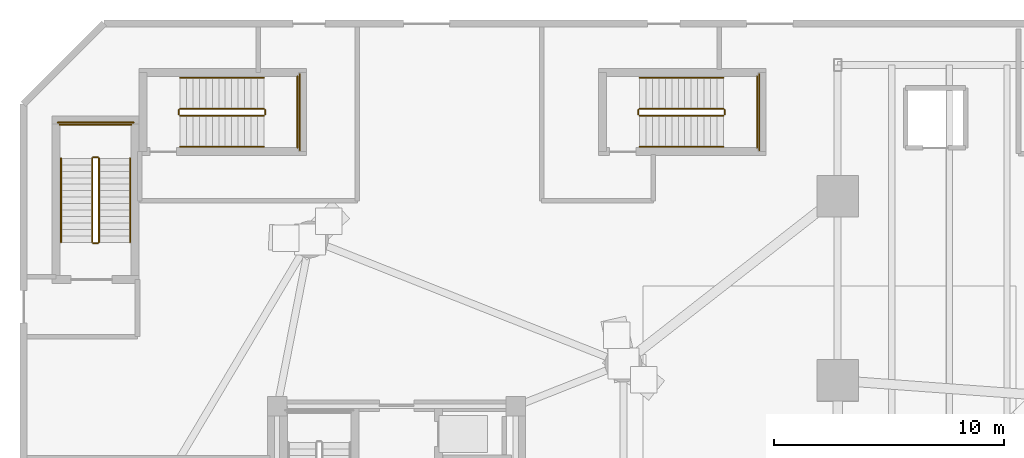
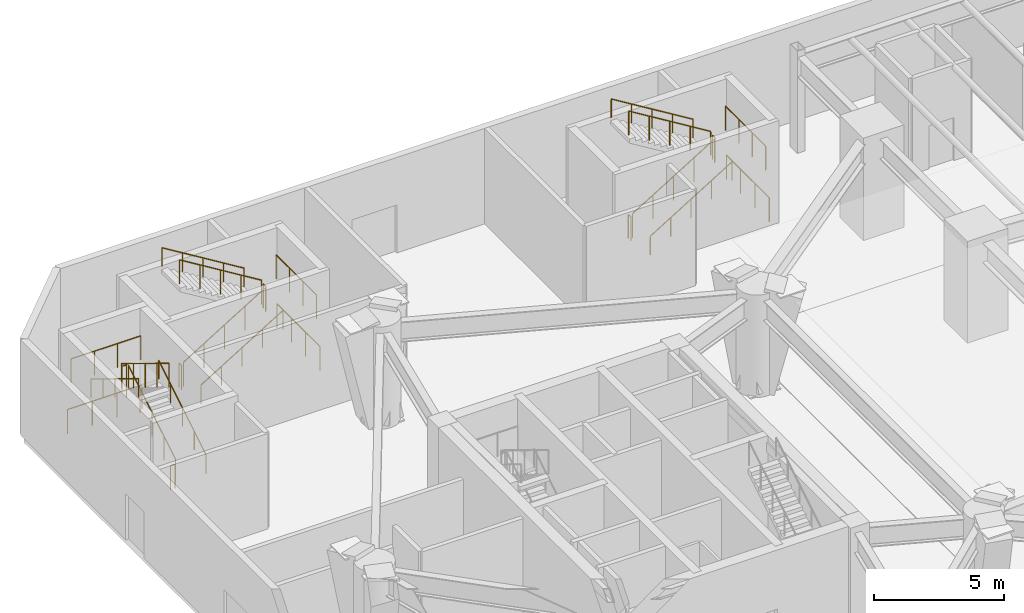
# One storey, part 15 of 17: 24 railings.
"""IFC4 building model written with IfcOpenShell, lengths in metres."""

from ifc_helpers import new_model, si_unit, direction, frame, origin, origin_2d, place, context, subcontext, project, spatial, circle, extrude, material, type_object, element, save


model = new_model("IFC4")

# Units and contexts
model_context = context("Model", 3, precision=1e-05, world=origin(), true_north=direction((0.0, 1.0)))
body_context = subcontext(model_context, "Body", "Model", "MODEL_VIEW")
ifc_project = project(units=[si_unit("LENGTHUNIT", "METRE"), si_unit("AREAUNIT", "SQUARE_METRE"), si_unit("VOLUMEUNIT", "CUBIC_METRE"), si_unit("PLANEANGLEUNIT", "RADIAN"), si_unit("MASSUNIT", "GRAM", prefix="KILO")], contexts=[model_context])

# Site, building, storey
site_placement = place(None, origin())
site = spatial("IfcSite", under=ifc_project, at=site_placement, CompositionType="ELEMENT")
building_placement = place(site_placement, origin())
building = spatial("IfcBuilding", under=site, at=building_placement, Name="Cununo Teusaquillo Station Towers", CompositionType="ELEMENT")
storey_placement = place(building_placement, origin())
storey = spatial("IfcBuildingStorey", under=building, at=storey_placement, Name="L00", CompositionType="ELEMENT", Elevation=0.0)

# Railings
ifc_material_1 = material(Name="Steel EN 10025-2 S355J2", Category="steel")
railing_type_1 = type_object("IfcRailingType", Name="RL-INT-GUARD", PredefinedType="GUARDRAIL", material=ifc_material_1)
railing_1_placement = place(storey_placement, frame((27.050048828125, 44.0, 0.17138671875)))
element("IfcRailing", 1, at=railing_1_placement, inside=storey, type_object=railing_type_1, Name="L00 ST-POD-N stair guard 1", PredefinedType="GUARDRAIL", context=body_context, shape_type="SweptSolid", body=[
    extrude(circle(Radius=0.02392578125, at=origin_2d()), frame((0.0, 0.0, 1.1259765625), z_axis=(0.852850264322, 0.0, 0.5221555579), x_axis=(0.0, 1.0, 0.0)), (0.0, 0.0, 1.0), 4.267822265625),
    extrude(circle(Radius=0.02099609375, at=origin_2d()), origin(), (0.0, 0.0, 1.0), 1.101806640625),
    extrude(circle(Radius=0.02099609375, at=origin_2d()), frame((0.909912109375, 0.0, 0.55712890625)), (0.0, 0.0, 1.0), 1.101806640625),
    extrude(circle(Radius=0.02099609375, at=origin_2d()), frame((1.81982421875, 0.0, 1.1142578125)), (0.0, 0.0, 1.0), 1.101806640625),
    extrude(circle(Radius=0.02099609375, at=origin_2d()), frame((2.72998046875, 0.0, 1.67138671875)), (0.0, 0.0, 1.0), 1.101806640625),
    extrude(circle(Radius=0.02099609375, at=origin_2d()), frame((3.639892578125, 0.0, 2.228515625)), (0.0, 0.0, 1.0), 1.101806640625),
])
railing_2_placement = place(storey_placement, frame((30.739990234375, 44.050048828125, 2.39990234375)))
element("IfcRailing", 2, at=railing_2_placement, inside=storey, type_object=railing_type_1, Name="L00 ST-POD-N stair guard 2", PredefinedType="GUARDRAIL", context=body_context, shape_type="SweptSolid", body=[
    extrude(circle(Radius=0.02392578125, at=origin_2d()), frame((0.0, 0.0, 1.1259765625), z_axis=(0.0, 1.0, 0.0), x_axis=(-1.0, 0.0, 0.0)), (0.0, 0.0, 1.0), 0.199951171875),
    extrude(circle(Radius=0.02099609375, at=origin_2d()), origin(), (0.0, 0.0, 1.0), 1.101806640625),
    extrude(circle(Radius=0.02099609375, at=origin_2d()), frame((0.0, 0.199951171875, 0.0)), (0.0, 0.0, 1.0), 1.101806640625),
])
railing_3_placement = place(storey_placement, frame((32.14990234375, 42.60009765625, 2.39990234375)))
element("IfcRailing", 3, at=railing_3_placement, inside=storey, type_object=railing_type_1, Name="L00 ST-POD-N stair guard 3", PredefinedType="GUARDRAIL", context=body_context, shape_type="SweptSolid", body=[
    extrude(circle(Radius=0.02392578125, at=origin_2d()), frame((0.0, 0.0, 1.1259765625), z_axis=(0.0, 1.0, 0.0), x_axis=(-1.0, 0.0, 0.0)), (0.0, 0.0, 1.0), 3.099853515625),
    extrude(circle(Radius=0.02099609375, at=origin_2d()), origin(), (0.0, 0.0, 1.0), 1.101806640625),
    extrude(circle(Radius=0.02099609375, at=origin_2d()), frame((0.0, 1.033203125, 0.0)), (0.0, 0.0, 1.0), 1.101806640625),
    extrude(circle(Radius=0.02099609375, at=origin_2d()), frame((0.0, 2.066650390625, 0.0)), (0.0, 0.0, 1.0), 1.101806640625),
    extrude(circle(Radius=0.02099609375, at=origin_2d()), frame((0.0, 3.099853515625, 0.0)), (0.0, 0.0, 1.0), 1.101806640625),
])
railing_4_placement = place(storey_placement, frame((30.68994140625, 44.300048828125, 2.571533203125)))
element("IfcRailing", 4, at=railing_4_placement, inside=storey, type_object=railing_type_1, Name="L00 ST-POD-N stair guard 4", PredefinedType="GUARDRAIL", context=body_context, shape_type="SweptSolid", body=[
    extrude(circle(Radius=0.02392578125, at=origin_2d()), frame((0.0, 0.0, 1.1259765625), z_axis=(-0.852850264322, 0.0, 0.5221555579), x_axis=(0.0, -1.0, 0.0)), (0.0, 0.0, 1.0), 4.267822265625),
    extrude(circle(Radius=0.02099609375, at=origin_2d()), origin(), (0.0, 0.0, 1.0), 1.101806640625),
    extrude(circle(Radius=0.02099609375, at=origin_2d()), frame((-0.909912109375, 0.0, 0.55712890625)), (0.0, 0.0, 1.0), 1.101806640625),
    extrude(circle(Radius=0.02099609375, at=origin_2d()), frame((-1.81982421875, 0.0, 1.1142578125)), (0.0, 0.0, 1.0), 1.101806640625),
    extrude(circle(Radius=0.02099609375, at=origin_2d()), frame((-2.72998046875, 0.0, 1.67138671875)), (0.0, 0.0, 1.0), 1.101806640625),
    extrude(circle(Radius=0.02099609375, at=origin_2d()), frame((-3.639892578125, 0.0, 2.228515625)), (0.0, 0.0, 1.0), 1.101806640625),
])
railing_5_placement = place(storey_placement, frame((27.0, 44.050048828125, 0.0)))
element("IfcRailing", 5, at=railing_5_placement, inside=storey, type_object=railing_type_1, Name="L00 ST-POD-N stair guard 5", PredefinedType="GUARDRAIL", context=body_context, shape_type="SweptSolid", body=[
    extrude(circle(Radius=0.02392578125, at=origin_2d()), frame((0.0, 0.0, 1.1259765625), z_axis=(0.0, 1.0, 0.0), x_axis=(-1.0, 0.0, 0.0)), (0.0, 0.0, 1.0), 0.199951171875),
    extrude(circle(Radius=0.02099609375, at=origin_2d()), origin(), (0.0, 0.0, 1.0), 1.101806640625),
    extrude(circle(Radius=0.02099609375, at=origin_2d()), frame((0.0, 0.199951171875, 0.0)), (0.0, 0.0, 1.0), 1.101806640625),
])
railing_6_placement = place(storey_placement, frame((32.25, 42.5, 0.0)))
element("IfcRailing", 6, at=railing_6_placement, inside=storey, type_object=railing_type_1, Name="L00 ST-POD-N stair guard 6", PredefinedType="GUARDRAIL", context=body_context, shape_type="SweptSolid", body=[
    extrude(circle(Radius=0.02392578125, at=origin_2d()), frame((0.0, 0.0, 1.1259765625), z_axis=(0.0, 1.0, 0.0), x_axis=(-1.0, 0.0, 0.0)), (0.0, 0.0, 1.0), 3.300048828125),
    extrude(circle(Radius=0.02099609375, at=origin_2d()), origin(), (0.0, 0.0, 1.0), 1.101806640625),
    extrude(circle(Radius=0.02099609375, at=origin_2d()), frame((0.0, 1.10009765625, 0.0)), (0.0, 0.0, 1.0), 1.101806640625),
    extrude(circle(Radius=0.02099609375, at=origin_2d()), frame((0.0, 2.199951171875, 0.0)), (0.0, 0.0, 1.0), 1.101806640625),
    extrude(circle(Radius=0.02099609375, at=origin_2d()), frame((0.0, 3.300048828125, 0.0)), (0.0, 0.0, 1.0), 1.101806640625),
])
railing_7_placement = place(storey_placement, frame((3.580078125, 38.5, 0.17138671875)))
element("IfcRailing", 7, at=railing_7_placement, inside=storey, type_object=railing_type_1, Name="L00 ST-POD-W stair guard 1", PredefinedType="GUARDRAIL", context=body_context, shape_type="SweptSolid", body=[
    extrude(circle(Radius=0.02392578125, at=origin_2d()), frame((0.0, 0.0, 1.1259765625), z_axis=(0.0, 0.852850264322, 0.5221555579), x_axis=(-1.0, 0.0, 0.0)), (0.0, 0.0, 1.0), 4.267822265625),
    extrude(circle(Radius=0.02099609375, at=origin_2d()), origin(), (0.0, 0.0, 1.0), 1.101806640625),
    extrude(circle(Radius=0.02099609375, at=origin_2d()), frame((0.0, 0.909912109375, 0.55712890625)), (0.0, 0.0, 1.0), 1.101806640625),
    extrude(circle(Radius=0.02099609375, at=origin_2d()), frame((0.0, 1.81982421875, 1.1142578125)), (0.0, 0.0, 1.0), 1.101806640625),
    extrude(circle(Radius=0.02099609375, at=origin_2d()), frame((0.0, 2.72998046875, 1.67138671875)), (0.0, 0.0, 1.0), 1.101806640625),
    extrude(circle(Radius=0.02099609375, at=origin_2d()), frame((0.0, 3.639892578125, 2.228515625)), (0.0, 0.0, 1.0), 1.101806640625),
])
railing_8_placement = place(storey_placement, frame((3.530029296875, 42.18994140625, 2.39990234375)))
element("IfcRailing", 8, at=railing_8_placement, inside=storey, type_object=railing_type_1, Name="L00 ST-POD-W stair guard 2", PredefinedType="GUARDRAIL", context=body_context, shape_type="SweptSolid", body=[
    extrude(circle(Radius=0.02392578125, at=origin_2d()), frame((0.0, 0.0, 1.1259765625), z_axis=(-1.0, 0.0, 0.0), x_axis=(0.0, -1.0, 0.0)), (0.0, 0.0, 1.0), 0.199951171875),
    extrude(circle(Radius=0.02099609375, at=origin_2d()), origin(), (0.0, 0.0, 1.0), 1.101806640625),
    extrude(circle(Radius=0.02099609375, at=origin_2d()), frame((-0.199951171875, 0.0, 0.0)), (0.0, 0.0, 1.0), 1.101806640625),
])
railing_9_placement = place(storey_placement, frame((4.97998046875, 43.60009765625, 2.39990234375)))
element("IfcRailing", 9, at=railing_9_placement, inside=storey, type_object=railing_type_1, Name="L00 ST-POD-W stair guard 3", PredefinedType="GUARDRAIL", context=body_context, shape_type="SweptSolid", body=[
    extrude(circle(Radius=0.02392578125, at=origin_2d()), frame((0.0, 0.0, 1.1259765625), z_axis=(-1.0, 0.0, 0.0), x_axis=(0.0, -1.0, 0.0)), (0.0, 0.0, 1.0), 3.10009765625),
    extrude(circle(Radius=0.02099609375, at=origin_2d()), origin(), (0.0, 0.0, 1.0), 1.101806640625),
    extrude(circle(Radius=0.02099609375, at=origin_2d()), frame((-1.033447265625, 0.0, 0.0)), (0.0, 0.0, 1.0), 1.101806640625),
    extrude(circle(Radius=0.02099609375, at=origin_2d()), frame((-2.066650390625, 0.0, 0.0)), (0.0, 0.0, 1.0), 1.101806640625),
    extrude(circle(Radius=0.02099609375, at=origin_2d()), frame((-3.10009765625, 0.0, 0.0)), (0.0, 0.0, 1.0), 1.101806640625),
])
railing_10_placement = place(storey_placement, frame((3.280029296875, 42.139892578125, 2.571533203125)))
element("IfcRailing", 10, at=railing_10_placement, inside=storey, type_object=railing_type_1, Name="L00 ST-POD-W stair guard 4", PredefinedType="GUARDRAIL", context=body_context, shape_type="SweptSolid", body=[
    extrude(circle(Radius=0.02392578125, at=origin_2d()), frame((0.0, 0.0, 1.1259765625), z_axis=(0.0, -0.852850264322, 0.5221555579), x_axis=(1.0, 0.0, 0.0)), (0.0, 0.0, 1.0), 4.267822265625),
    extrude(circle(Radius=0.02099609375, at=origin_2d()), origin(), (0.0, 0.0, 1.0), 1.101806640625),
    extrude(circle(Radius=0.02099609375, at=origin_2d()), frame((0.0, -0.909912109375, 0.55712890625)), (0.0, 0.0, 1.0), 1.101806640625),
    extrude(circle(Radius=0.02099609375, at=origin_2d()), frame((0.0, -1.81982421875, 1.1142578125)), (0.0, 0.0, 1.0), 1.101806640625),
    extrude(circle(Radius=0.02099609375, at=origin_2d()), frame((0.0, -2.72998046875, 1.67138671875)), (0.0, 0.0, 1.0), 1.101806640625),
    extrude(circle(Radius=0.02099609375, at=origin_2d()), frame((0.0, -3.639892578125, 2.228515625)), (0.0, 0.0, 1.0), 1.101806640625),
])
railing_11_placement = place(storey_placement, frame((3.530029296875, 38.449951171875, 0.0)))
element("IfcRailing", 11, at=railing_11_placement, inside=storey, type_object=railing_type_1, Name="L00 ST-POD-W stair guard 5", PredefinedType="GUARDRAIL", context=body_context, shape_type="SweptSolid", body=[
    extrude(circle(Radius=0.02392578125, at=origin_2d()), frame((0.0, 0.0, 1.1259765625), z_axis=(-1.0, 0.0, 0.0), x_axis=(0.0, -1.0, 0.0)), (0.0, 0.0, 1.0), 0.199951171875),
    extrude(circle(Radius=0.02099609375, at=origin_2d()), origin(), (0.0, 0.0, 1.0), 1.101806640625),
    extrude(circle(Radius=0.02099609375, at=origin_2d()), frame((-0.199951171875, 0.0, 0.0)), (0.0, 0.0, 1.0), 1.101806640625),
])
railing_12_placement = place(storey_placement, frame((5.080078125, 43.699951171875, 0.0)))
element("IfcRailing", 12, at=railing_12_placement, inside=storey, type_object=railing_type_1, Name="L00 ST-POD-W stair guard 6", PredefinedType="GUARDRAIL", context=body_context, shape_type="SweptSolid", body=[
    extrude(circle(Radius=0.02392578125, at=origin_2d()), frame((0.0, 0.0, 1.1259765625), z_axis=(-1.0, 0.0, 0.0), x_axis=(0.0, -1.0, 0.0)), (0.0, 0.0, 1.0), 3.300048828125),
    extrude(circle(Radius=0.02099609375, at=origin_2d()), origin(), (0.0, 0.0, 1.0), 1.101806640625),
    extrude(circle(Radius=0.02099609375, at=origin_2d()), frame((-1.10009765625, 0.0, 0.0)), (0.0, 0.0, 1.0), 1.101806640625),
    extrude(circle(Radius=0.02099609375, at=origin_2d()), frame((-2.199951171875, 0.0, 0.0)), (0.0, 0.0, 1.0), 1.101806640625),
    extrude(circle(Radius=0.02099609375, at=origin_2d()), frame((-3.300048828125, 0.0, 0.0)), (0.0, 0.0, 1.0), 1.101806640625),
])
railing_13_placement = place(storey_placement, frame((7.10009765625, 44.0, 0.17138671875)))
element("IfcRailing", 13, at=railing_13_placement, inside=storey, type_object=railing_type_1, Name="L00 ST-POD-C stair guard 1", PredefinedType="GUARDRAIL", context=body_context, shape_type="SweptSolid", body=[
    extrude(circle(Radius=0.02392578125, at=origin_2d()), frame((0.0, 0.0, 1.1259765625), z_axis=(0.852850264322, 0.0, 0.5221555579), x_axis=(0.0, 1.0, 0.0)), (0.0, 0.0, 1.0), 4.267822265625),
    extrude(circle(Radius=0.02099609375, at=origin_2d()), origin(), (0.0, 0.0, 1.0), 1.101806640625),
    extrude(circle(Radius=0.02099609375, at=origin_2d()), frame((0.909912109375, 0.0, 0.55712890625)), (0.0, 0.0, 1.0), 1.101806640625),
    extrude(circle(Radius=0.02099609375, at=origin_2d()), frame((1.81982421875, 0.0, 1.1142578125)), (0.0, 0.0, 1.0), 1.101806640625),
    extrude(circle(Radius=0.02099609375, at=origin_2d()), frame((2.72998046875, 0.0, 1.67138671875)), (0.0, 0.0, 1.0), 1.101806640625),
    extrude(circle(Radius=0.02099609375, at=origin_2d()), frame((3.639892578125, 0.0, 2.228515625)), (0.0, 0.0, 1.0), 1.101806640625),
])
railing_14_placement = place(storey_placement, frame((10.7900390625, 44.050048828125, 2.39990234375)))
element("IfcRailing", 14, at=railing_14_placement, inside=storey, type_object=railing_type_1, Name="L00 ST-POD-C stair guard 2", PredefinedType="GUARDRAIL", context=body_context, shape_type="SweptSolid", body=[
    extrude(circle(Radius=0.02392578125, at=origin_2d()), frame((0.0, 0.0, 1.1259765625), z_axis=(0.0, 1.0, 0.0), x_axis=(-1.0, 0.0, 0.0)), (0.0, 0.0, 1.0), 0.199951171875),
    extrude(circle(Radius=0.02099609375, at=origin_2d()), origin(), (0.0, 0.0, 1.0), 1.101806640625),
    extrude(circle(Radius=0.02099609375, at=origin_2d()), frame((0.0, 0.199951171875, 0.0)), (0.0, 0.0, 1.0), 1.101806640625),
])
railing_15_placement = place(storey_placement, frame((12.199951171875, 42.60009765625, 2.39990234375)))
element("IfcRailing", 15, at=railing_15_placement, inside=storey, type_object=railing_type_1, Name="L00 ST-POD-C stair guard 3", PredefinedType="GUARDRAIL", context=body_context, shape_type="SweptSolid", body=[
    extrude(circle(Radius=0.02392578125, at=origin_2d()), frame((0.0, 0.0, 1.1259765625), z_axis=(0.0, 1.0, 0.0), x_axis=(-1.0, 0.0, 0.0)), (0.0, 0.0, 1.0), 3.099853515625),
    extrude(circle(Radius=0.02099609375, at=origin_2d()), origin(), (0.0, 0.0, 1.0), 1.101806640625),
    extrude(circle(Radius=0.02099609375, at=origin_2d()), frame((0.0, 1.033203125, 0.0)), (0.0, 0.0, 1.0), 1.101806640625),
    extrude(circle(Radius=0.02099609375, at=origin_2d()), frame((0.0, 2.066650390625, 0.0)), (0.0, 0.0, 1.0), 1.101806640625),
    extrude(circle(Radius=0.02099609375, at=origin_2d()), frame((0.0, 3.099853515625, 0.0)), (0.0, 0.0, 1.0), 1.101806640625),
])
railing_16_placement = place(storey_placement, frame((10.739990234375, 44.300048828125, 2.571533203125)))
element("IfcRailing", 16, at=railing_16_placement, inside=storey, type_object=railing_type_1, Name="L00 ST-POD-C stair guard 4", PredefinedType="GUARDRAIL", context=body_context, shape_type="SweptSolid", body=[
    extrude(circle(Radius=0.02392578125, at=origin_2d()), frame((0.0, 0.0, 1.1259765625), z_axis=(-0.852850264322, 0.0, 0.5221555579), x_axis=(0.0, -1.0, 0.0)), (0.0, 0.0, 1.0), 4.267822265625),
    extrude(circle(Radius=0.02099609375, at=origin_2d()), origin(), (0.0, 0.0, 1.0), 1.101806640625),
    extrude(circle(Radius=0.02099609375, at=origin_2d()), frame((-0.909912109375, 0.0, 0.55712890625)), (0.0, 0.0, 1.0), 1.101806640625),
    extrude(circle(Radius=0.02099609375, at=origin_2d()), frame((-1.81982421875, 0.0, 1.1142578125)), (0.0, 0.0, 1.0), 1.101806640625),
    extrude(circle(Radius=0.02099609375, at=origin_2d()), frame((-2.72998046875, 0.0, 1.67138671875)), (0.0, 0.0, 1.0), 1.101806640625),
    extrude(circle(Radius=0.02099609375, at=origin_2d()), frame((-3.639892578125, 0.0, 2.228515625)), (0.0, 0.0, 1.0), 1.101806640625),
])
railing_17_placement = place(storey_placement, frame((7.050048828125, 44.050048828125, 0.0)))
element("IfcRailing", 17, at=railing_17_placement, inside=storey, type_object=railing_type_1, Name="L00 ST-POD-C stair guard 5", PredefinedType="GUARDRAIL", context=body_context, shape_type="SweptSolid", body=[
    extrude(circle(Radius=0.02392578125, at=origin_2d()), frame((0.0, 0.0, 1.1259765625), z_axis=(0.0, 1.0, 0.0), x_axis=(-1.0, 0.0, 0.0)), (0.0, 0.0, 1.0), 0.199951171875),
    extrude(circle(Radius=0.02099609375, at=origin_2d()), origin(), (0.0, 0.0, 1.0), 1.101806640625),
    extrude(circle(Radius=0.02099609375, at=origin_2d()), frame((0.0, 0.199951171875, 0.0)), (0.0, 0.0, 1.0), 1.101806640625),
])
railing_18_placement = place(storey_placement, frame((12.300048828125, 42.5, 0.0)))
element("IfcRailing", 18, at=railing_18_placement, inside=storey, type_object=railing_type_1, Name="L00 ST-POD-C stair guard 6", PredefinedType="GUARDRAIL", context=body_context, shape_type="SweptSolid", body=[
    extrude(circle(Radius=0.02392578125, at=origin_2d()), frame((0.0, 0.0, 1.1259765625), z_axis=(0.0, 1.0, 0.0), x_axis=(-1.0, 0.0, 0.0)), (0.0, 0.0, 1.0), 3.300048828125),
    extrude(circle(Radius=0.02099609375, at=origin_2d()), origin(), (0.0, 0.0, 1.0), 1.101806640625),
    extrude(circle(Radius=0.02099609375, at=origin_2d()), frame((0.0, 1.10009765625, 0.0)), (0.0, 0.0, 1.0), 1.101806640625),
    extrude(circle(Radius=0.02099609375, at=origin_2d()), frame((0.0, 2.199951171875, 0.0)), (0.0, 0.0, 1.0), 1.101806640625),
    extrude(circle(Radius=0.02099609375, at=origin_2d()), frame((0.0, 3.300048828125, 0.0)), (0.0, 0.0, 1.0), 1.101806640625),
])
ifc_material_2 = material(Name="Steel EN 10025-2 S355J2", Category="steel")
railing_type_2 = type_object("IfcRailingType", Name="RL-INT-HRAIL", PredefinedType="HANDRAIL", material=ifc_material_2)
railing_19_placement = place(storey_placement, frame((27.050048828125, 42.64990234375, 0.17138671875)))
element("IfcRailing", 19, at=railing_19_placement, inside=storey, type_object=railing_type_2, Name="L00 ST-POD-N stair handrail 1", PredefinedType="HANDRAIL", context=body_context, shape_type="SweptSolid", body=[
    extrude(circle(Radius=0.02392578125, at=origin_2d()), frame((0.0, 0.0, 0.8759765625), z_axis=(0.852850264322, 0.0, 0.5221555579), x_axis=(0.0, 1.0, 0.0)), (0.0, 0.0, 1.0), 4.267822265625),
    extrude(circle(Radius=0.02099609375, at=origin_2d()), origin(), (0.0, 0.0, 1.0), 0.851806640625),
    extrude(circle(Radius=0.02099609375, at=origin_2d()), frame((0.909912109375, 0.0, 0.55712890625)), (0.0, 0.0, 1.0), 0.851806640625),
    extrude(circle(Radius=0.02099609375, at=origin_2d()), frame((1.81982421875, 0.0, 1.1142578125)), (0.0, 0.0, 1.0), 0.851806640625),
    extrude(circle(Radius=0.02099609375, at=origin_2d()), frame((2.72998046875, 0.0, 1.67138671875)), (0.0, 0.0, 1.0), 0.851806640625),
    extrude(circle(Radius=0.02099609375, at=origin_2d()), frame((3.639892578125, 0.0, 2.228515625)), (0.0, 0.0, 1.0), 0.851806640625),
])
railing_20_placement = place(storey_placement, frame((30.68994140625, 45.64990234375, 2.571533203125)))
element("IfcRailing", 20, at=railing_20_placement, inside=storey, type_object=railing_type_2, Name="L00 ST-POD-N stair handrail 2", PredefinedType="HANDRAIL", context=body_context, shape_type="SweptSolid", body=[
    extrude(circle(Radius=0.02392578125, at=origin_2d()), frame((0.0, 0.0, 0.8759765625), z_axis=(-0.852850264322, 0.0, 0.5221555579), x_axis=(0.0, -1.0, 0.0)), (0.0, 0.0, 1.0), 4.267822265625),
    extrude(circle(Radius=0.02099609375, at=origin_2d()), origin(), (0.0, 0.0, 1.0), 0.851806640625),
    extrude(circle(Radius=0.02099609375, at=origin_2d()), frame((-0.909912109375, 0.0, 0.55712890625)), (0.0, 0.0, 1.0), 0.851806640625),
    extrude(circle(Radius=0.02099609375, at=origin_2d()), frame((-1.81982421875, 0.0, 1.1142578125)), (0.0, 0.0, 1.0), 0.851806640625),
    extrude(circle(Radius=0.02099609375, at=origin_2d()), frame((-2.72998046875, 0.0, 1.67138671875)), (0.0, 0.0, 1.0), 0.851806640625),
    extrude(circle(Radius=0.02099609375, at=origin_2d()), frame((-3.639892578125, 0.0, 2.228515625)), (0.0, 0.0, 1.0), 0.851806640625),
])
railing_21_placement = place(storey_placement, frame((4.929931640625, 38.5, 0.17138671875)))
element("IfcRailing", 21, at=railing_21_placement, inside=storey, type_object=railing_type_2, Name="L00 ST-POD-W stair handrail 1", PredefinedType="HANDRAIL", context=body_context, shape_type="SweptSolid", body=[
    extrude(circle(Radius=0.02392578125, at=origin_2d()), frame((0.0, 0.0, 0.8759765625), z_axis=(0.0, 0.852850264322, 0.5221555579), x_axis=(-1.0, 0.0, 0.0)), (0.0, 0.0, 1.0), 4.267822265625),
    extrude(circle(Radius=0.02099609375, at=origin_2d()), origin(), (0.0, 0.0, 1.0), 0.851806640625),
    extrude(circle(Radius=0.02099609375, at=origin_2d()), frame((0.0, 0.909912109375, 0.55712890625)), (0.0, 0.0, 1.0), 0.851806640625),
    extrude(circle(Radius=0.02099609375, at=origin_2d()), frame((0.0, 1.81982421875, 1.1142578125)), (0.0, 0.0, 1.0), 0.851806640625),
    extrude(circle(Radius=0.02099609375, at=origin_2d()), frame((0.0, 2.72998046875, 1.67138671875)), (0.0, 0.0, 1.0), 0.851806640625),
    extrude(circle(Radius=0.02099609375, at=origin_2d()), frame((0.0, 3.639892578125, 2.228515625)), (0.0, 0.0, 1.0), 0.851806640625),
])
railing_22_placement = place(storey_placement, frame((1.929931640625, 42.139892578125, 2.571533203125)))
element("IfcRailing", 22, at=railing_22_placement, inside=storey, type_object=railing_type_2, Name="L00 ST-POD-W stair handrail 2", PredefinedType="HANDRAIL", context=body_context, shape_type="SweptSolid", body=[
    extrude(circle(Radius=0.02392578125, at=origin_2d()), frame((0.0, 0.0, 0.8759765625), z_axis=(0.0, -0.852850264322, 0.5221555579), x_axis=(1.0, 0.0, 0.0)), (0.0, 0.0, 1.0), 4.267822265625),
    extrude(circle(Radius=0.02099609375, at=origin_2d()), origin(), (0.0, 0.0, 1.0), 0.851806640625),
    extrude(circle(Radius=0.02099609375, at=origin_2d()), frame((0.0, -0.909912109375, 0.55712890625)), (0.0, 0.0, 1.0), 0.851806640625),
    extrude(circle(Radius=0.02099609375, at=origin_2d()), frame((0.0, -1.81982421875, 1.1142578125)), (0.0, 0.0, 1.0), 0.851806640625),
    extrude(circle(Radius=0.02099609375, at=origin_2d()), frame((0.0, -2.72998046875, 1.67138671875)), (0.0, 0.0, 1.0), 0.851806640625),
    extrude(circle(Radius=0.02099609375, at=origin_2d()), frame((0.0, -3.639892578125, 2.228515625)), (0.0, 0.0, 1.0), 0.851806640625),
])
railing_23_placement = place(storey_placement, frame((7.10009765625, 42.64990234375, 0.17138671875)))
element("IfcRailing", 23, at=railing_23_placement, inside=storey, type_object=railing_type_2, Name="L00 ST-POD-C stair handrail 1", PredefinedType="HANDRAIL", context=body_context, shape_type="SweptSolid", body=[
    extrude(circle(Radius=0.02392578125, at=origin_2d()), frame((0.0, 0.0, 0.8759765625), z_axis=(0.852850264322, 0.0, 0.5221555579), x_axis=(0.0, 1.0, 0.0)), (0.0, 0.0, 1.0), 4.267822265625),
    extrude(circle(Radius=0.02099609375, at=origin_2d()), origin(), (0.0, 0.0, 1.0), 0.851806640625),
    extrude(circle(Radius=0.02099609375, at=origin_2d()), frame((0.909912109375, 0.0, 0.55712890625)), (0.0, 0.0, 1.0), 0.851806640625),
    extrude(circle(Radius=0.02099609375, at=origin_2d()), frame((1.81982421875, 0.0, 1.1142578125)), (0.0, 0.0, 1.0), 0.851806640625),
    extrude(circle(Radius=0.02099609375, at=origin_2d()), frame((2.72998046875, 0.0, 1.67138671875)), (0.0, 0.0, 1.0), 0.851806640625),
    extrude(circle(Radius=0.02099609375, at=origin_2d()), frame((3.639892578125, 0.0, 2.228515625)), (0.0, 0.0, 1.0), 0.851806640625),
])
railing_24_placement = place(storey_placement, frame((10.739990234375, 45.64990234375, 2.571533203125)))
element("IfcRailing", 24, at=railing_24_placement, inside=storey, type_object=railing_type_2, Name="L00 ST-POD-C stair handrail 2", PredefinedType="HANDRAIL", context=body_context, shape_type="SweptSolid", body=[
    extrude(circle(Radius=0.02392578125, at=origin_2d()), frame((0.0, 0.0, 0.8759765625), z_axis=(-0.852850264322, 0.0, 0.5221555579), x_axis=(0.0, -1.0, 0.0)), (0.0, 0.0, 1.0), 4.267822265625),
    extrude(circle(Radius=0.02099609375, at=origin_2d()), origin(), (0.0, 0.0, 1.0), 0.851806640625),
    extrude(circle(Radius=0.02099609375, at=origin_2d()), frame((-0.909912109375, 0.0, 0.55712890625)), (0.0, 0.0, 1.0), 0.851806640625),
    extrude(circle(Radius=0.02099609375, at=origin_2d()), frame((-1.81982421875, 0.0, 1.1142578125)), (0.0, 0.0, 1.0), 0.851806640625),
    extrude(circle(Radius=0.02099609375, at=origin_2d()), frame((-2.72998046875, 0.0, 1.67138671875)), (0.0, 0.0, 1.0), 0.851806640625),
    extrude(circle(Radius=0.02099609375, at=origin_2d()), frame((-3.639892578125, 0.0, 2.228515625)), (0.0, 0.0, 1.0), 0.851806640625),
])

save(model, "model.ifc")
